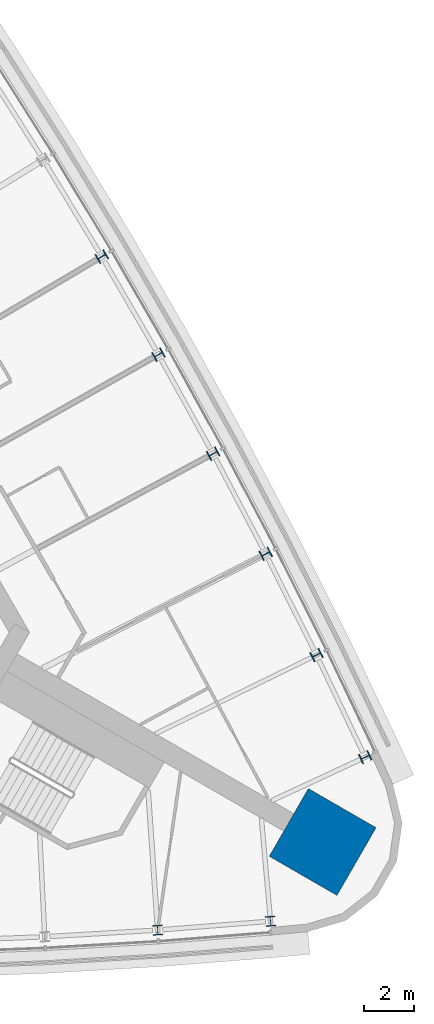
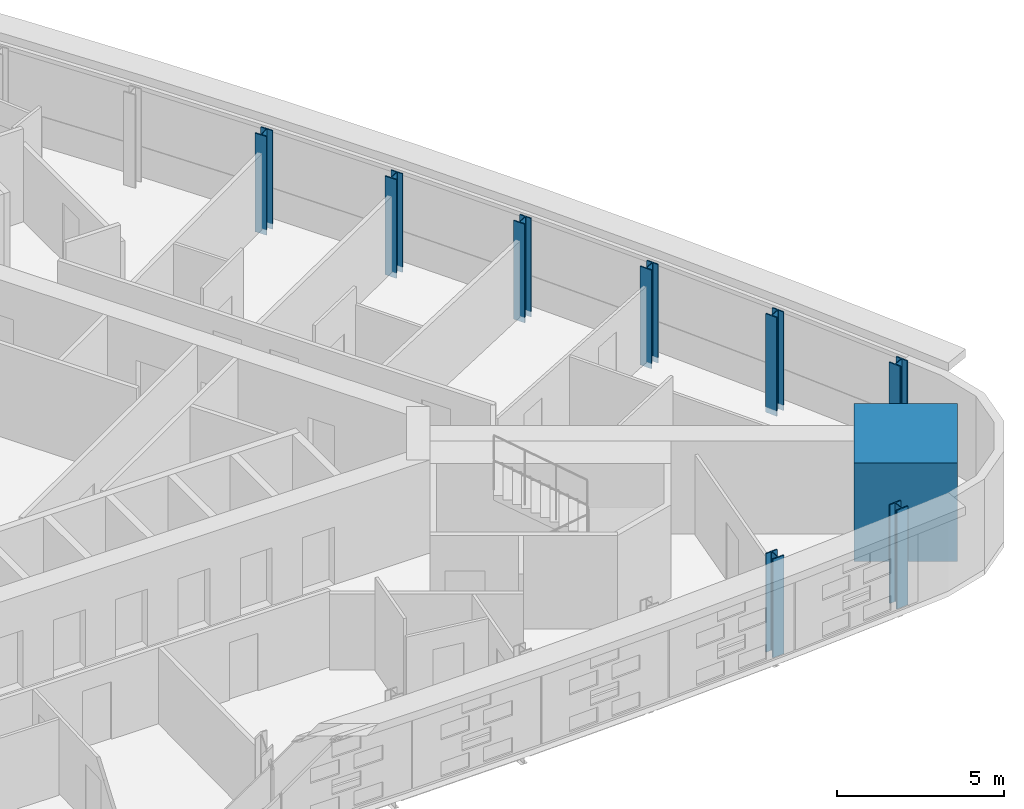
# One storey, part 2 of 17: 9 columns.
"""IFC4 building model written with IfcOpenShell, lengths in metres."""

from ifc_helpers import new_model, si_unit, direction, frame, origin, origin_2d, place, context, subcontext, project, spatial, rectangle, i_section, extrude, material, material_profile, profile_set, type_object, element, save


model = new_model("IFC4")

# Units and contexts
model_context = context("Model", 3, precision=1e-05, world=origin(), true_north=direction((0.0, 1.0)))
body_context = subcontext(model_context, "Body", "Model", "MODEL_VIEW")
ifc_project = project(units=[si_unit("LENGTHUNIT", "METRE"), si_unit("AREAUNIT", "SQUARE_METRE"), si_unit("VOLUMEUNIT", "CUBIC_METRE"), si_unit("PLANEANGLEUNIT", "RADIAN"), si_unit("MASSUNIT", "GRAM", prefix="KILO")], contexts=[model_context])

# Site, building, storey
site_placement = place(None, origin())
site = spatial("IfcSite", under=ifc_project, at=site_placement, CompositionType="ELEMENT")
building_placement = place(site_placement, origin())
building = spatial("IfcBuilding", under=site, at=building_placement, Name="Noor Cloister Tower", CompositionType="ELEMENT")
storey_placement = place(building_placement, frame((0.0, 0.0, 98.699951171875)))
storey = spatial("IfcBuildingStorey", under=building, at=storey_placement, Name="L25", CompositionType="ELEMENT", Elevation=98.699951171875)

# Columns
ifc_material_1 = material(Name="Steel ASTM A992 Gr 50", Category="steel")
ifc_material_profile_1 = material_profile(ifc_material_1, i_section(OverallWidth=0.40087890625, OverallDepth=0.39892578125, WebThickness=0.02490234375, FlangeThickness=0.03955078125, FilletRadius=0.015380859375, at=origin_2d()), Name="W360x314")
ifc_profile_set_1 = profile_set([ifc_material_profile_1], Name="Steel ASTM A992 Gr 50")
column_type_1 = type_object("IfcColumnType", Name="Column W360x314", PredefinedType="COLUMN", material=ifc_profile_set_1)
for number, where, z_axis, x_axis, name in (
    (1, (15.69970703125, -16.33642578125, -0.199951171875), (0.0, 0.0, 1.0), (0.997627922075, 0.06883697478, 0.0), "Column S 09 L25"),
    (2, (20.1748046875, -15.9833984375, -0.199951171875), (0.0, 0.0, 1.0), (0.99607982273, 0.088458955177, 0.0), "Column S 10 L25"),
    (3, (23.929443359375, -9.480224609375, -0.199951171875), (0.0, 0.0, 1.0), (-0.421432208989, 0.906859908269, 0.0), "Column NE 01 L25"),
    (4, (21.99755859375, -5.427978515625, -0.199951171875), (0.0, 0.0, 1.0), (-0.439199392158, 0.898389611432, 0.0), "Column NE 02 L25"),
    (5, (19.986328125, -1.414794921875, -0.199951171875), (0.0, 0.0, 1.0), (-0.456796421257, 0.889571261635, 0.0), "Column NE 03 L25"),
    (6, (17.896728515625, 2.558349609375, -0.199951171875), (0.0, 0.0, 1.0), (-0.474216478854, 0.880408275281, 0.0), "Column NE 04 L25"),
    (7, (15.72900390625, 6.489501953125, -0.199951171875), (0.0, 0.0, 1.0), (-0.491452816121, 0.870904202267, 0.0), "Column NE 05 L25"),
    (8, (13.484375, 10.376953125, -0.199951171875), (0.0, 0.0, 1.0), (-0.508498755365, 0.861062724656, 0.0), "Column NE 06 L25"),
):
    element("IfcColumn", number, at=place(storey_placement, frame(where, z_axis=z_axis, x_axis=x_axis)), inside=storey, type_object=column_type_1, Name=name, PredefinedType="COLUMN", context=body_context, shape_type="SweptSolid", body=[
        extrude(i_section(OverallWidth=0.40087890625, OverallDepth=0.39892578125, WebThickness=0.02490234375, FlangeThickness=0.03955078125, FilletRadius=0.015380859375, at=origin_2d()), origin(), (0.0, 0.0, 1.0), 3.60009765625),
    ])
ifc_material_2 = material(Name="Concrete C80/95", Category="concrete")
ifc_material_profile_2 = material_profile(ifc_material_2, rectangle(XDim=3.10009765625, YDim=3.10009765625, at=origin_2d()), Name="RC 3100x3100")
ifc_profile_set_2 = profile_set([ifc_material_profile_2], Name="Concrete C80/95")
column_type_2 = type_object("IfcColumnType", Name="Corner pier 3100 x 3100 C80/95", PredefinedType="COLUMN", material=ifc_profile_set_2)
column_placement = place(storey_placement, frame((22.242919921875, -12.842041015625, -0.199951171875), z_axis=(0.0, 0.0, 1.0), x_axis=(0.866025403784, -0.5, 0.0)))
element("IfcColumn", 9, at=column_placement, inside=storey, type_object=column_type_2, Name="Corner pier SE L25", PredefinedType="COLUMN", context=body_context, shape_type="SweptSolid", body=[
    extrude(rectangle(XDim=3.10009765625, YDim=3.10009765625, at=origin_2d()), origin(), (0.0, 0.0, 1.0), 3.60009765625),
])

save(model, "model.ifc")
